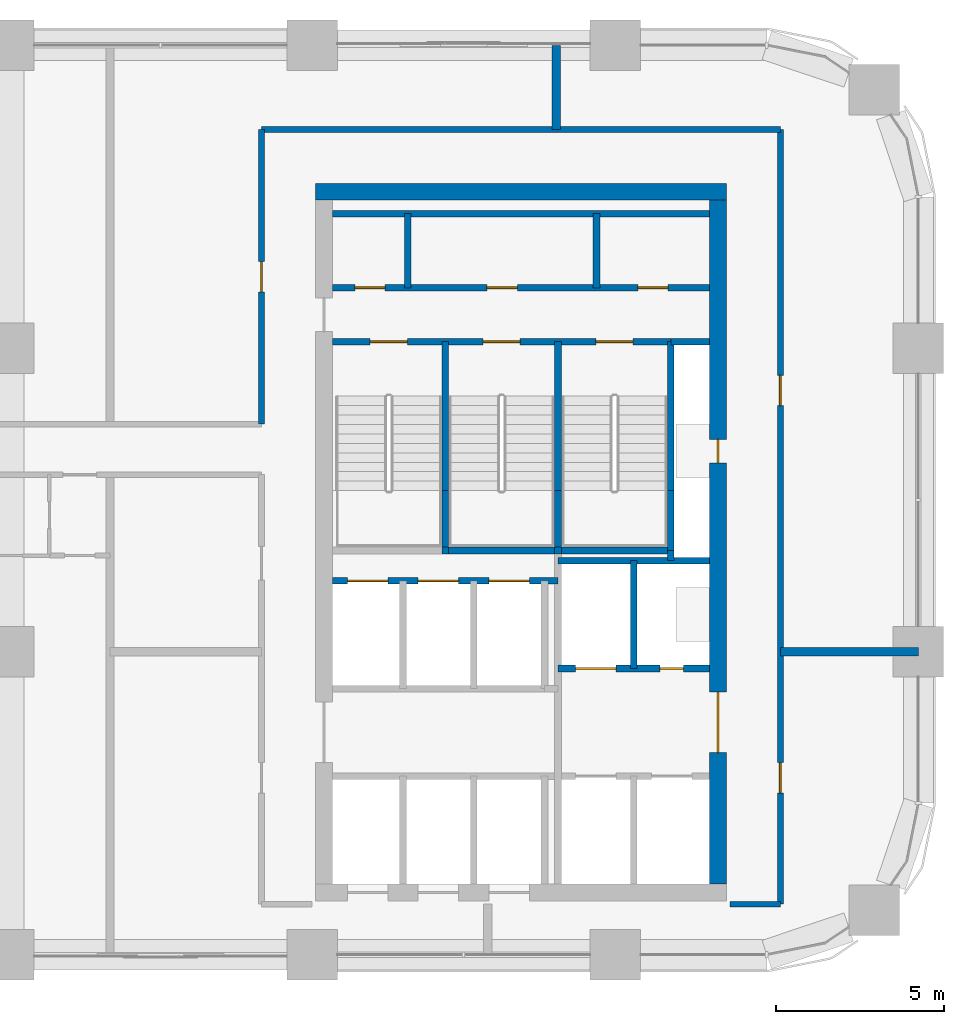
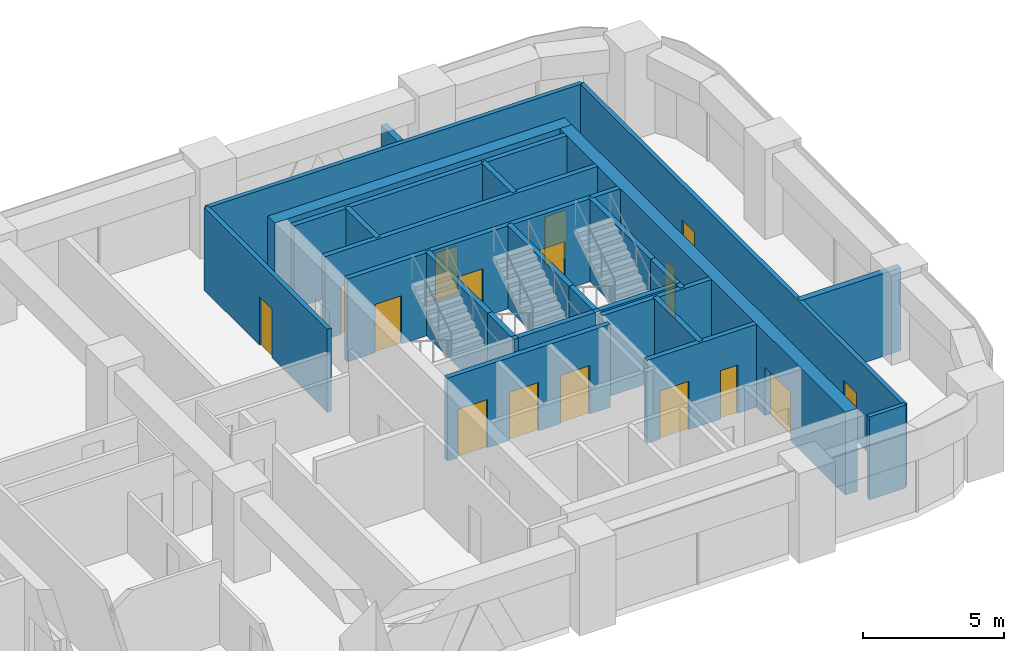
# One storey, part 10 of 18: 29 walls, 16 doors, 16 openings.
"""IFC4 building model written with IfcOpenShell, lengths in metres."""

from ifc_helpers import new_model, si_unit, direction, frame, frame_2d, origin, place, context, subcontext, project, spatial, rectangle, extrude, material, layer, layer_set, type_object, element, fill, save


model = new_model("IFC4")

# Units and contexts
model_context = context("Model", 3, precision=1e-05, world=origin(), true_north=direction((0.0, 1.0)))
body_context = subcontext(model_context, "Body", "Model", "MODEL_VIEW")
ifc_project = project(units=[si_unit("LENGTHUNIT", "METRE"), si_unit("AREAUNIT", "SQUARE_METRE"), si_unit("VOLUMEUNIT", "CUBIC_METRE"), si_unit("PLANEANGLEUNIT", "RADIAN"), si_unit("MASSUNIT", "GRAM", prefix="KILO")], contexts=[model_context])

# Site, building, storey
site_placement = place(None, origin())
site = spatial("IfcSite", under=ifc_project, at=site_placement, CompositionType="ELEMENT")
building_placement = place(site_placement, origin())
building = spatial("IfcBuilding", under=site, at=building_placement, Name="Tessera Arch", CompositionType="ELEMENT")
storey_placement = place(building_placement, frame((0.0, 0.0, 154.39990234375)))
storey = spatial("IfcBuildingStorey", under=building, at=storey_placement, Name="L36", CompositionType="ELEMENT", Elevation=154.39990234375)

# Walls
ifc_material_1 = material(Name="Gypsum board on steel stud", Category="steel")
ifc_layer_1 = layer(ifc_material_1, 0.125)
ifc_layer_set_1 = layer_set([ifc_layer_1], Name="Core partition 125 EI 60")
wall_type_1 = type_object("IfcWallType", Name="Core partition 125 EI 60", PredefinedType="PARTITIONING", material=ifc_layer_set_1)
for number, where, z_axis, x_axis, name in (
    (1, (38.840087890625, 46.800048828125, 0.0), (0.0, 0.0, 1.0), (0.0, 1.0, 0.0), "L36 C1 partition wall 3"),
    (2, (44.43994140625, 46.800048828125, 0.0), (0.0, 0.0, 1.0), (0.0, 1.0, 0.0), "L36 C1 partition wall 13"),
):
    element("IfcWall", number, at=place(storey_placement, frame(where, z_axis=z_axis, x_axis=x_axis)), inside=storey, type_object=wall_type_1, Name=name, PredefinedType="PARTITIONING", context=body_context, shape_type="SweptSolid", body=[
        extrude(rectangle(XDim=2.199951171875, YDim=0.199951171875, at=frame_2d((1.10009765625, 0.0))), origin(), (0.0, 0.0, 1.0), 3.60009765625),
    ])

# Wall, openings, doors
wall_1_placement = place(storey_placement, frame((36.60009765625, 46.800048828125, 0.0), z_axis=(0.0, 0.0, 1.0), x_axis=(1.0, 0.0, 0.0)))
wall_1 = element("IfcWall", 3, at=wall_1_placement, inside=storey, type_object=wall_type_1, Name="L36 C1 partition wall 32", PredefinedType="PARTITIONING", context=body_context, shape_type="SweptSolid", body=[
    extrude(rectangle(XDim=11.199951171875, YDim=0.199951171875, at=frame_2d((5.60009765625, 0.0))), origin(), (0.0, 0.0, 1.0), 3.60009765625),
])
opening_1_placement = place(wall_1_placement, frame((0.669921875, 0.0, 0.0)))
opening_1 = element("IfcOpeningElement", 4, at=opening_1_placement, cuts=wall_1, Name="Opening L36-C18", PredefinedType="OPENING", context=body_context, shape_type="SweptSolid", body=[
    extrude(rectangle(XDim=0.89990234375, YDim=2.10009765625, at=frame_2d((0.449951171875, 1.050048828125))), frame((0.0, 0.10986328125, 0.0), z_axis=(0.0, -1.0, 0.0), x_axis=(1.0, 0.0, 0.0)), (0.0, 0.0, 1.0), 0.219970703125),
])
opening_2_placement = place(wall_1_placement, frame((4.590087890625, 0.0, 0.0)))
opening_2 = element("IfcOpeningElement", 5, at=opening_2_placement, cuts=wall_1, Name="Opening L36-C19", PredefinedType="OPENING", context=body_context, shape_type="SweptSolid", body=[
    extrude(rectangle(XDim=0.89990234375, YDim=2.10009765625, at=frame_2d((0.449951171875, 1.050048828125))), frame((0.0, 0.10986328125, 0.0), z_axis=(0.0, -1.0, 0.0), x_axis=(1.0, 0.0, 0.0)), (0.0, 0.0, 1.0), 0.219970703125),
])
opening_3_placement = place(wall_1_placement, frame((9.070068359375, 0.0, 0.0)))
opening_3 = element("IfcOpeningElement", 6, at=opening_3_placement, cuts=wall_1, Name="Opening L36-C20", PredefinedType="OPENING", context=body_context, shape_type="SweptSolid", body=[
    extrude(rectangle(XDim=0.89990234375, YDim=2.10009765625, at=frame_2d((0.449951171875, 1.050048828125))), frame((0.0, 0.10986328125, 0.0), z_axis=(0.0, -1.0, 0.0), x_axis=(1.0, 0.0, 0.0)), (0.0, 0.0, 1.0), 0.219970703125),
])
ifc_material_2 = material(Name="Steel door leaf", Category="steel")
door_type_1 = type_object("IfcDoorType", Name="Store door FD30S 900 x 2100", OperationType="SINGLE_SWING_LEFT", PredefinedType="DOOR", material=ifc_material_2)
door_1_placement = place(opening_1_placement, origin())
door_1 = element("IfcDoor", 7, at=door_1_placement, inside=storey, type_object=door_type_1, Name="L36 C1 door 18 C18 type D09", OperationType="SINGLE_SWING_LEFT", OverallHeight=2.10009765625, OverallWidth=0.89990234375, PredefinedType="DOOR", context=body_context, shape_type="SweptSolid", body=[
    extrude(rectangle(XDim=0.89990234375, YDim=2.10009765625, at=frame_2d((0.449951171875, 1.050048828125))), frame((0.0, 0.02490234375, 0.0), z_axis=(0.0, -1.0, 0.0), x_axis=(1.0, 0.0, 0.0)), (0.0, 0.0, 1.0), 0.050048828125),
])
fill(opening_1, door_1)
door_2_placement = place(opening_2_placement, origin())
door_2 = element("IfcDoor", 8, at=door_2_placement, inside=storey, type_object=door_type_1, Name="L36 C1 door 19 C19 type D09", OperationType="SINGLE_SWING_LEFT", OverallHeight=2.10009765625, OverallWidth=0.89990234375, PredefinedType="DOOR", context=body_context, shape_type="SweptSolid", body=[
    extrude(rectangle(XDim=0.89990234375, YDim=2.10009765625, at=frame_2d((0.449951171875, 1.050048828125))), frame((0.0, 0.02490234375, 0.0), z_axis=(0.0, -1.0, 0.0), x_axis=(1.0, 0.0, 0.0)), (0.0, 0.0, 1.0), 0.050048828125),
])
fill(opening_2, door_2)
door_3_placement = place(opening_3_placement, origin())
door_3 = element("IfcDoor", 9, at=door_3_placement, inside=storey, type_object=door_type_1, Name="L36 C1 door 20 C20 type D09", OperationType="SINGLE_SWING_RIGHT", OverallHeight=2.10009765625, OverallWidth=0.89990234375, PredefinedType="DOOR", context=body_context, shape_type="SweptSolid", body=[
    extrude(rectangle(XDim=0.89990234375, YDim=2.10009765625, at=frame_2d((0.449951171875, 1.050048828125))), frame((0.0, 0.02490234375, 0.0), z_axis=(0.0, -1.0, 0.0), x_axis=(1.0, 0.0, 0.0)), (0.0, 0.0, 1.0), 0.050048828125),
])
fill(opening_3, door_3)

# Walls
wall_2_placement = place(storey_placement, frame((36.60009765625, 49.0, 0.0), z_axis=(0.0, 0.0, 1.0), x_axis=(1.0, 0.0, 0.0)))
element("IfcWall", 10, at=wall_2_placement, inside=storey, type_object=wall_type_1, Name="L36 C1 partition wall 33", PredefinedType="PARTITIONING", context=body_context, shape_type="SweptSolid", body=[
    extrude(rectangle(XDim=11.199951171875, YDim=0.199951171875, at=frame_2d((5.60009765625, 0.0))), origin(), (0.0, 0.0, 1.0), 3.60009765625),
])
ifc_material_3 = material(Name="Concrete C60/75", Category="concrete")
ifc_layer_2 = layer(ifc_material_3, 0.5)
ifc_layer_set_2 = layer_set([ifc_layer_2], Name="Core shell wall 500 C60-75")
wall_type_2 = type_object("IfcWallType", Name="Core shell wall 500 C60-75", PredefinedType="SHEAR", material=ifc_layer_set_2)
wall_3_placement = place(storey_placement, frame((36.10009765625, 49.64990234375, 0.0), z_axis=(0.0, 0.0, 1.0), x_axis=(1.0, 0.0, 0.0)))
element("IfcWall", 11, at=wall_3_placement, inside=storey, type_object=wall_type_2, Name="L36 C1 core wall N", PredefinedType="SHEAR", context=body_context, shape_type="SweptSolid", body=[
    extrude(rectangle(XDim=12.199951171875, YDim=0.5, at=frame_2d((6.10009765625, 0.0))), origin(), (0.0, 0.0, 1.0), 3.60009765625),
])

# Wall, openings, doors
wall_4_placement = place(storey_placement, frame((48.050048828125, 29.10009765625, 0.0), z_axis=(0.0, 0.0, 1.0), x_axis=(0.0, 1.0, 0.0)))
wall_4 = element("IfcWall", 12, at=wall_4_placement, inside=storey, type_object=wall_type_2, Name="L36 C1 core wall E", PredefinedType="SHEAR", context=body_context, shape_type="SweptSolid", body=[
    extrude(rectangle(XDim=20.2998046875, YDim=0.5, at=frame_2d((10.14990234375, 0.0))), origin(), (0.0, 0.0, 1.0), 3.60009765625),
])
opening_4_placement = place(wall_4_placement, frame((12.5, 0.0, 0.0)))
opening_4 = element("IfcOpeningElement", 13, at=opening_4_placement, cuts=wall_4, Name="Opening L36-C14", PredefinedType="OPENING", context=body_context, shape_type="SweptSolid", body=[
    extrude(rectangle(XDim=0.699951171875, YDim=2.10009765625, at=frame_2d((0.35009765625, 1.050048828125))), frame((0.0, 0.260009765625, 0.0), z_axis=(0.0, -1.0, 0.0), x_axis=(1.0, 0.0, 0.0)), (0.0, 0.0, 1.0), 0.52001953125),
])
opening_5_placement = place(wall_4_placement, frame((3.89990234375, 0.0, 0.0)))
opening_5 = element("IfcOpeningElement", 14, at=opening_5_placement, cuts=wall_4, Name="Opening L36-C15", PredefinedType="OPENING", context=body_context, shape_type="SweptSolid", body=[
    extrude(rectangle(XDim=1.800048828125, YDim=2.10009765625, at=frame_2d((0.89990234375, 1.050048828125))), frame((0.0, 0.260009765625, 0.0), z_axis=(0.0, -1.0, 0.0), x_axis=(1.0, 0.0, 0.0)), (0.0, 0.0, 1.0), 0.52001953125),
])
ifc_material_4 = material(Name="Glazed steel door leaf", Category="steel")
door_type_2 = type_object("IfcDoorType", Name="Lobby double door FD60 1800 x 2100", OperationType="DOUBLE_DOOR_SINGLE_SWING", PredefinedType="DOOR", material=ifc_material_4)
door_4_placement = place(opening_5_placement, origin())
door_4 = element("IfcDoor", 15, at=door_4_placement, inside=storey, type_object=door_type_2, Name="L36 C1 door 15 C15 type D19", OperationType="DOUBLE_DOOR_SINGLE_SWING", OverallHeight=2.10009765625, OverallWidth=1.800048828125, PredefinedType="DOOR", context=body_context, shape_type="SweptSolid", body=[
    extrude(rectangle(XDim=1.800048828125, YDim=2.10009765625, at=frame_2d((0.89990234375, 1.050048828125))), frame((0.0, 0.02490234375, 0.0), z_axis=(0.0, -1.0, 0.0), x_axis=(1.0, 0.0, 0.0)), (0.0, 0.0, 1.0), 0.050048828125),
])
fill(opening_5, door_4)
ifc_material_5 = material(Name="Steel door leaf", Category="steel")
door_type_3 = type_object("IfcDoorType", Name="Service shaft door FD60 700 x 2100", OperationType="SINGLE_SWING_LEFT", PredefinedType="DOOR", material=ifc_material_5)
door_5_placement = place(opening_4_placement, origin())
door_5 = element("IfcDoor", 16, at=door_5_placement, inside=storey, type_object=door_type_3, Name="L36 C1 door 14 C14 type D07", OperationType="SINGLE_SWING_RIGHT", OverallHeight=2.10009765625, OverallWidth=0.699951171875, PredefinedType="DOOR", context=body_context, shape_type="SweptSolid", body=[
    extrude(rectangle(XDim=0.699951171875, YDim=2.10009765625, at=frame_2d((0.35009765625, 1.050048828125))), frame((0.0, 0.02490234375, 0.0), z_axis=(0.0, -1.0, 0.0), x_axis=(1.0, 0.0, 0.0)), (0.0, 0.0, 1.0), 0.050048828125),
])
fill(opening_4, door_5)

# Walls
ifc_material_6 = material(Name="Gypsum board on deep steel stud with mineral wool", Category="steel")
ifc_layer_3 = layer(ifc_material_6, 0.175048828125)
ifc_layer_set_3 = layer_set([ifc_layer_3], Name="Corridor wall 175 EI 60")
wall_type_3 = type_object("IfcWallType", Name="Corridor wall 175 EI 60", PredefinedType="PARTITIONING", material=ifc_layer_set_3)
wall_5_placement = place(storey_placement, frame((48.39990234375, 28.5, 0.0), z_axis=(0.0, 0.0, 1.0), x_axis=(1.0, 0.0, 0.0)))
element("IfcWall", 17, at=wall_5_placement, inside=storey, type_object=wall_type_3, Name="L36 partition 4", PredefinedType="PARTITIONING", context=body_context, shape_type="SweptSolid", body=[
    extrude(rectangle(XDim=1.5, YDim=0.175048828125, at=frame_2d((0.75, 0.0))), origin(), (0.0, 0.0, 1.0), 3.60009765625),
])
wall_6_placement = place(storey_placement, frame((34.5, 51.5, 0.0), z_axis=(0.0, 0.0, 1.0), x_axis=(1.0, 0.0, 0.0)))
element("IfcWall", 18, at=wall_6_placement, inside=storey, type_object=wall_type_3, Name="L36 partition 8", PredefinedType="PARTITIONING", context=body_context, shape_type="SweptSolid", body=[
    extrude(rectangle(XDim=15.39990234375, YDim=0.175048828125, at=frame_2d((7.699951171875, 0.0))), origin(), (0.0, 0.0, 1.0), 3.60009765625),
])

# Wall, opening, door
wall_7_placement = place(storey_placement, frame((34.5, 42.75, 0.0), z_axis=(0.0, 0.0, 1.0), x_axis=(0.0, 1.0, 0.0)))
wall_7 = element("IfcWall", 19, at=wall_7_placement, inside=storey, type_object=wall_type_3, Name="L36 partition 13", PredefinedType="PARTITIONING", context=body_context, shape_type="SweptSolid", body=[
    extrude(rectangle(XDim=8.75, YDim=0.175048828125, at=frame_2d((4.375, 0.0))), origin(), (0.0, 0.0, 1.0), 3.60009765625),
])
opening_6_placement = place(wall_7_placement, frame((3.925048828125, 0.0, 0.0)))
opening_6 = element("IfcOpeningElement", 20, at=opening_6_placement, cuts=wall_7, Name="Opening L36-D014", PredefinedType="OPENING", context=body_context, shape_type="SweptSolid", body=[
    extrude(rectangle(XDim=0.89990234375, YDim=2.10009765625, at=frame_2d((0.449951171875, 1.050048828125))), frame((0.0, 0.097412109375, 0.0), z_axis=(0.0, -1.0, 0.0), x_axis=(1.0, 0.0, 0.0)), (0.0, 0.0, 1.0), 0.195068359375),
])
ifc_material_7 = material(Name="Timber door leaf", Category="wood")
door_type_4 = type_object("IfcDoorType", Name="Room door 900 x 2100", OperationType="SINGLE_SWING_LEFT", PredefinedType="DOOR", material=ifc_material_7)
door_6_placement = place(opening_6_placement, origin())
door_6 = element("IfcDoor", 21, at=door_6_placement, inside=storey, type_object=door_type_4, Name="L36 door D014 type D01", OperationType="SINGLE_SWING_RIGHT", OverallHeight=2.10009765625, OverallWidth=0.89990234375, PredefinedType="DOOR", context=body_context, shape_type="SweptSolid", body=[
    extrude(rectangle(XDim=0.89990234375, YDim=2.10009765625, at=frame_2d((0.449951171875, 1.050048828125))), frame((0.0, 0.02490234375, 0.0), z_axis=(0.0, -1.0, 0.0), x_axis=(1.0, 0.0, 0.0)), (0.0, 0.0, 1.0), 0.050048828125),
])
fill(opening_6, door_6)

# Wall, openings, doors
wall_8_placement = place(storey_placement, frame((49.89990234375, 28.5, 0.0), z_axis=(0.0, 0.0, 1.0), x_axis=(0.0, 1.0, 0.0)))
wall_8 = element("IfcWall", 22, at=wall_8_placement, inside=storey, type_object=wall_type_3, Name="L36 partition 14", PredefinedType="PARTITIONING", context=body_context, shape_type="SweptSolid", body=[
    extrude(rectangle(XDim=23.0, YDim=0.175048828125, at=frame_2d((11.5, 0.0))), origin(), (0.0, 0.0, 1.0), 3.60009765625),
])
opening_7_placement = place(wall_8_placement, frame((3.300048828125, 0.0, 0.0)))
opening_7 = element("IfcOpeningElement", 23, at=opening_7_placement, cuts=wall_8, Name="Opening L36-D002", PredefinedType="OPENING", context=body_context, shape_type="SweptSolid", body=[
    extrude(rectangle(XDim=0.89990234375, YDim=2.10009765625, at=frame_2d((0.449951171875, 1.050048828125))), frame((0.0, 0.097412109375, 0.0), z_axis=(0.0, -1.0, 0.0), x_axis=(1.0, 0.0, 0.0)), (0.0, 0.0, 1.0), 0.195068359375),
])
opening_8_placement = place(wall_8_placement, frame((14.800048828125, 0.0, 0.0)))
opening_8 = element("IfcOpeningElement", 24, at=opening_8_placement, cuts=wall_8, Name="Opening L36-D012", PredefinedType="OPENING", context=body_context, shape_type="SweptSolid", body=[
    extrude(rectangle(XDim=0.89990234375, YDim=2.10009765625, at=frame_2d((0.449951171875, 1.050048828125))), frame((0.0, 0.097412109375, 0.0), z_axis=(0.0, -1.0, 0.0), x_axis=(1.0, 0.0, 0.0)), (0.0, 0.0, 1.0), 0.195068359375),
])
door_7_placement = place(opening_7_placement, origin())
door_7 = element("IfcDoor", 25, at=door_7_placement, inside=storey, type_object=door_type_4, Name="L36 door D002 type D01", OperationType="SINGLE_SWING_LEFT", OverallHeight=2.10009765625, OverallWidth=0.89990234375, PredefinedType="DOOR", context=body_context, shape_type="SweptSolid", body=[
    extrude(rectangle(XDim=0.89990234375, YDim=2.10009765625, at=frame_2d((0.449951171875, 1.050048828125))), frame((0.0, 0.02490234375, 0.0), z_axis=(0.0, -1.0, 0.0), x_axis=(1.0, 0.0, 0.0)), (0.0, 0.0, 1.0), 0.050048828125),
])
fill(opening_7, door_7)
door_8_placement = place(opening_8_placement, origin())
door_8 = element("IfcDoor", 26, at=door_8_placement, inside=storey, type_object=door_type_4, Name="L36 door D012 type D01", OperationType="SINGLE_SWING_LEFT", OverallHeight=2.10009765625, OverallWidth=0.89990234375, PredefinedType="DOOR", context=body_context, shape_type="SweptSolid", body=[
    extrude(rectangle(XDim=0.89990234375, YDim=2.10009765625, at=frame_2d((0.449951171875, 1.050048828125))), frame((0.0, 0.02490234375, 0.0), z_axis=(0.0, -1.0, 0.0), x_axis=(1.0, 0.0, 0.0)), (0.0, 0.0, 1.0), 0.050048828125),
])
fill(opening_8, door_8)

# Walls
ifc_material_8 = material(Name="Double gypsum board on twin steel stud with acoustic mineral wool", Category="steel")
ifc_layer_4 = layer(ifc_material_8, 0.25)
ifc_layer_set_4 = layer_set([ifc_layer_4], Name="Party wall 250 EI 60")
wall_type_4 = type_object("IfcWallType", Name="Party wall 250 EI 60", PredefinedType="PARTITIONING", material=ifc_layer_set_4)
wall_9_placement = place(storey_placement, frame((49.89990234375, 36.0, 0.0), z_axis=(0.0, 0.0, 1.0), x_axis=(1.0, 0.0, 0.0)))
element("IfcWall", 27, at=wall_9_placement, inside=storey, type_object=wall_type_4, Name="L36 partition 20", PredefinedType="PARTITIONING", context=body_context, shape_type="SweptSolid", body=[
    extrude(rectangle(XDim=4.10009765625, YDim=0.25, at=frame_2d((2.050048828125, 0.0))), origin(), (0.0, 0.0, 1.0), 3.60009765625),
])
wall_10_placement = place(storey_placement, frame((43.241943359375, 51.5, 0.0), z_axis=(0.0, 0.0, 1.0), x_axis=(0.0, 1.0, 0.0)))
element("IfcWall", 28, at=wall_10_placement, inside=storey, type_object=wall_type_4, Name="L36 partition 26", PredefinedType="PARTITIONING", context=body_context, shape_type="SweptSolid", body=[
    extrude(rectangle(XDim=2.5, YDim=0.25, at=frame_2d((1.25, 0.0))), origin(), (0.0, 0.0, 1.0), 2.60009765625),
])
ifc_material_9 = material(Name="Concrete C40/50", Category="concrete")
ifc_layer_5 = layer(ifc_material_9, 0.199951171875)
ifc_layer_set_5 = layer_set([ifc_layer_5], Name="Shaft wall 200 EI 120")
wall_type_5 = type_object("IfcWallType", Name="Shaft wall 200 EI 120", PredefinedType="SOLIDWALL", material=ifc_layer_set_5)
wall_11_placement = place(storey_placement, frame((45.550048828125, 35.5, 0.0), z_axis=(0.0, 0.0, 1.0), x_axis=(0.0, 1.0, 0.0)))
element("IfcWall", 29, at=wall_11_placement, inside=storey, type_object=wall_type_5, Name="L36 C1 shaft wall 15", PredefinedType="SOLIDWALL", context=body_context, shape_type="SweptSolid", body=[
    extrude(rectangle(XDim=3.199951171875, YDim=0.199951171875, at=frame_2d((1.60009765625, 0.0))), origin(), (0.0, 0.0, 1.0), 3.60009765625),
])
wall_12_placement = place(storey_placement, frame((46.64990234375, 38.699951171875, 0.0), z_axis=(0.0, 0.0, 1.0), x_axis=(0.0, 1.0, 0.0)))
element("IfcWall", 30, at=wall_12_placement, inside=storey, type_object=wall_type_5, Name="L36 C1 shaft wall 16", PredefinedType="SOLIDWALL", context=body_context, shape_type="SweptSolid", body=[
    extrude(rectangle(XDim=0.300048828125, YDim=0.199951171875, at=frame_2d((0.14990234375, 0.0))), origin(), (0.0, 0.0, 1.0), 3.60009765625),
])

# Wall, openings, doors
wall_13_placement = place(storey_placement, frame((43.300048828125, 35.5, 0.0), z_axis=(0.0, 0.0, 1.0), x_axis=(1.0, 0.0, 0.0)))
wall_13 = element("IfcWall", 31, at=wall_13_placement, inside=storey, type_object=wall_type_5, Name="L36 C1 shaft wall 22", PredefinedType="SOLIDWALL", context=body_context, shape_type="SweptSolid", body=[
    extrude(rectangle(XDim=4.5, YDim=0.199951171875, at=frame_2d((2.25, 0.0))), origin(), (0.0, 0.0, 1.0), 3.60009765625),
])
opening_9_placement = place(wall_13_placement, frame((0.52490234375, 0.0, 0.0)))
opening_9 = element("IfcOpeningElement", 32, at=opening_9_placement, cuts=wall_13, Name="Opening L36-C09", PredefinedType="OPENING", context=body_context, shape_type="SweptSolid", body=[
    extrude(rectangle(XDim=1.199951171875, YDim=2.10009765625, at=frame_2d((0.60009765625, 1.050048828125))), frame((0.0, 0.10986328125, 0.0), z_axis=(0.0, -1.0, 0.0), x_axis=(1.0, 0.0, 0.0)), (0.0, 0.0, 1.0), 0.219970703125),
])
opening_10_placement = place(wall_13_placement, frame((3.02490234375, 0.0, 0.0)))
opening_10 = element("IfcOpeningElement", 33, at=opening_10_placement, cuts=wall_13, Name="Opening L36-C16", PredefinedType="OPENING", context=body_context, shape_type="SweptSolid", body=[
    extrude(rectangle(XDim=0.699951171875, YDim=2.10009765625, at=frame_2d((0.35009765625, 1.050048828125))), frame((0.0, 0.10986328125, 0.0), z_axis=(0.0, -1.0, 0.0), x_axis=(1.0, 0.0, 0.0)), (0.0, 0.0, 1.0), 0.219970703125),
])
door_9_placement = place(opening_10_placement, origin())
door_9 = element("IfcDoor", 34, at=door_9_placement, inside=storey, type_object=door_type_3, Name="L36 C1 door 16 C16 type D07", OperationType="SINGLE_SWING_RIGHT", OverallHeight=2.10009765625, OverallWidth=0.699951171875, PredefinedType="DOOR", context=body_context, shape_type="SweptSolid", body=[
    extrude(rectangle(XDim=0.699951171875, YDim=2.10009765625, at=frame_2d((0.35009765625, 1.050048828125))), frame((0.0, 0.02490234375, 0.0), z_axis=(0.0, -1.0, 0.0), x_axis=(1.0, 0.0, 0.0)), (0.0, 0.0, 1.0), 0.050048828125),
])
fill(opening_10, door_9)
ifc_material_10 = material(Name="Stainless steel AISI 304", Category="steel")
door_type_5 = type_object("IfcDoorType", Name="Sliding landing door 1200 x 2100", OperationType="SLIDING_TO_LEFT", PredefinedType="DOOR", material=ifc_material_10)
door_10_placement = place(opening_9_placement, origin())
door_10 = element("IfcDoor", 35, at=door_10_placement, inside=storey, type_object=door_type_5, Name="L36 SV2 lift landing door C09 type LD", OperationType="SLIDING_TO_LEFT", OverallHeight=2.10009765625, OverallWidth=1.199951171875, PredefinedType="DOOR", context=body_context, shape_type="SweptSolid", body=[
    extrude(rectangle(XDim=1.199951171875, YDim=2.10009765625, at=frame_2d((0.60009765625, 1.050048828125))), frame((0.0, 0.02490234375, 0.0), z_axis=(0.0, -1.0, 0.0), x_axis=(1.0, 0.0, 0.0)), (0.0, 0.0, 1.0), 0.050048828125),
])
fill(opening_9, door_10)

wall_14_placement = place(storey_placement, frame((36.60009765625, 38.10009765625, 0.0), z_axis=(0.0, 0.0, 1.0), x_axis=(1.0, 0.0, 0.0)))
wall_14 = element("IfcWall", 36, at=wall_14_placement, inside=storey, type_object=wall_type_5, Name="L36 C1 shaft wall 23", PredefinedType="SOLIDWALL", context=body_context, shape_type="SweptSolid", body=[
    extrude(rectangle(XDim=6.699951171875, YDim=0.199951171875, at=frame_2d((3.35009765625, 0.0))), origin(), (0.0, 0.0, 1.0), 3.60009765625),
])
opening_11_placement = place(wall_14_placement, frame((0.449951171875, 0.0, 0.0)))
opening_11 = element("IfcOpeningElement", 37, at=opening_11_placement, cuts=wall_14, Name="Opening L36-C02", PredefinedType="OPENING", context=body_context, shape_type="SweptSolid", body=[
    extrude(rectangle(XDim=1.199951171875, YDim=2.10009765625, at=frame_2d((0.60009765625, 1.050048828125))), frame((0.0, 0.10986328125, 0.0), z_axis=(0.0, -1.0, 0.0), x_axis=(1.0, 0.0, 0.0)), (0.0, 0.0, 1.0), 0.219970703125),
])
opening_12_placement = place(wall_14_placement, frame((2.550048828125, 0.0, 0.0)))
opening_12 = element("IfcOpeningElement", 38, at=opening_12_placement, cuts=wall_14, Name="Opening L36-C04", PredefinedType="OPENING", context=body_context, shape_type="SweptSolid", body=[
    extrude(rectangle(XDim=1.199951171875, YDim=2.10009765625, at=frame_2d((0.60009765625, 1.050048828125))), frame((0.0, 0.10986328125, 0.0), z_axis=(0.0, -1.0, 0.0), x_axis=(1.0, 0.0, 0.0)), (0.0, 0.0, 1.0), 0.219970703125),
])
opening_13_placement = place(wall_14_placement, frame((4.64990234375, 0.0, 0.0)))
opening_13 = element("IfcOpeningElement", 39, at=opening_13_placement, cuts=wall_14, Name="Opening L36-C06", PredefinedType="OPENING", context=body_context, shape_type="SweptSolid", body=[
    extrude(rectangle(XDim=1.199951171875, YDim=2.10009765625, at=frame_2d((0.60009765625, 1.050048828125))), frame((0.0, 0.10986328125, 0.0), z_axis=(0.0, -1.0, 0.0), x_axis=(1.0, 0.0, 0.0)), (0.0, 0.0, 1.0), 0.219970703125),
])
door_11_placement = place(opening_11_placement, origin())
door_11 = element("IfcDoor", 40, at=door_11_placement, inside=storey, type_object=door_type_5, Name="L36 HR4 lift landing door C02 type LD", OperationType="SLIDING_TO_LEFT", OverallHeight=2.10009765625, OverallWidth=1.199951171875, PredefinedType="DOOR", context=body_context, shape_type="SweptSolid", body=[
    extrude(rectangle(XDim=1.199951171875, YDim=2.10009765625, at=frame_2d((0.60009765625, 1.050048828125))), frame((0.0, 0.02490234375, 0.0), z_axis=(0.0, -1.0, 0.0), x_axis=(1.0, 0.0, 0.0)), (0.0, 0.0, 1.0), 0.050048828125),
])
fill(opening_11, door_11)
door_12_placement = place(opening_12_placement, origin())
door_12 = element("IfcDoor", 41, at=door_12_placement, inside=storey, type_object=door_type_5, Name="L36 HR5 lift landing door C04 type LD", OperationType="SLIDING_TO_LEFT", OverallHeight=2.10009765625, OverallWidth=1.199951171875, PredefinedType="DOOR", context=body_context, shape_type="SweptSolid", body=[
    extrude(rectangle(XDim=1.199951171875, YDim=2.10009765625, at=frame_2d((0.60009765625, 1.050048828125))), frame((0.0, 0.02490234375, 0.0), z_axis=(0.0, -1.0, 0.0), x_axis=(1.0, 0.0, 0.0)), (0.0, 0.0, 1.0), 0.050048828125),
])
fill(opening_12, door_12)
door_13_placement = place(opening_13_placement, origin())
door_13 = element("IfcDoor", 42, at=door_13_placement, inside=storey, type_object=door_type_5, Name="L36 HR6 lift landing door C06 type LD", OperationType="SLIDING_TO_LEFT", OverallHeight=2.10009765625, OverallWidth=1.199951171875, PredefinedType="DOOR", context=body_context, shape_type="SweptSolid", body=[
    extrude(rectangle(XDim=1.199951171875, YDim=2.10009765625, at=frame_2d((0.60009765625, 1.050048828125))), frame((0.0, 0.02490234375, 0.0), z_axis=(0.0, -1.0, 0.0), x_axis=(1.0, 0.0, 0.0)), (0.0, 0.0, 1.0), 0.050048828125),
])
fill(opening_13, door_13)

# Walls
wall_15_placement = place(storey_placement, frame((43.300048828125, 38.699951171875, 0.0), z_axis=(0.0, 0.0, 1.0), x_axis=(1.0, 0.0, 0.0)))
element("IfcWall", 43, at=wall_15_placement, inside=storey, type_object=wall_type_5, Name="L36 C1 shaft wall 24", PredefinedType="SOLIDWALL", context=body_context, shape_type="SweptSolid", body=[
    extrude(rectangle(XDim=4.5, YDim=0.199951171875, at=frame_2d((2.25, 0.0))), origin(), (0.0, 0.0, 1.0), 3.60009765625),
])
wall_16_placement = place(storey_placement, frame((46.64990234375, 45.199951171875, 0.0), z_axis=(0.0, 0.0, 1.0), x_axis=(1.0, 0.0, 0.0)))
element("IfcWall", 44, at=wall_16_placement, inside=storey, type_object=wall_type_5, Name="L36 C1 shaft wall 30", PredefinedType="SOLIDWALL", context=body_context, shape_type="SweptSolid", body=[
    extrude(rectangle(XDim=1.150146484375, YDim=0.199951171875, at=frame_2d((0.5751953125, 0.0))), origin(), (0.0, 0.0, 1.0), 3.60009765625),
])
ifc_material_11 = material(Name="Concrete C40/50", Category="concrete")
ifc_layer_6 = layer(ifc_material_11, 0.199951171875)
ifc_layer_set_6 = layer_set([ifc_layer_6], Name="Stair well wall 200 REI 180")
wall_type_6 = type_object("IfcWallType", Name="Stair well wall 200 REI 180", PredefinedType="SOLIDWALL", material=ifc_layer_set_6)
wall_17_placement = place(storey_placement, frame((39.949951171875, 39.0, 0.0), z_axis=(0.0, 0.0, 1.0), x_axis=(0.0, 1.0, 0.0)))
element("IfcWall", 45, at=wall_17_placement, inside=storey, type_object=wall_type_6, Name="L36 C1 shaft wall 4", PredefinedType="SOLIDWALL", context=body_context, shape_type="SweptSolid", body=[
    extrude(rectangle(XDim=1.780029296875, YDim=0.199951171875, at=frame_2d((0.89013671875, 0.0))), origin(), (0.0, 0.0, 1.0), 3.60009765625),
])
wall_18_placement = place(storey_placement, frame((39.949951171875, 40.780029296875, 0.0), z_axis=(0.0, 0.0, 1.0), x_axis=(0.0, 1.0, 0.0)))
element("IfcWall", 46, at=wall_18_placement, inside=storey, type_object=wall_type_6, Name="L36 C1 shaft wall 5", PredefinedType="SOLIDWALL", context=body_context, shape_type="SweptSolid", body=[
    extrude(rectangle(XDim=4.419921875, YDim=0.199951171875, at=frame_2d((2.2099609375, 0.0))), origin(), (0.0, 0.0, 1.0), 3.60009765625),
])
wall_19_placement = place(storey_placement, frame((43.300048828125, 39.0, 0.0), z_axis=(0.0, 0.0, 1.0), x_axis=(0.0, 1.0, 0.0)))
element("IfcWall", 47, at=wall_19_placement, inside=storey, type_object=wall_type_6, Name="L36 C1 shaft wall 11", PredefinedType="SOLIDWALL", context=body_context, shape_type="SweptSolid", body=[
    extrude(rectangle(XDim=1.780029296875, YDim=0.199951171875, at=frame_2d((0.89013671875, 0.0))), origin(), (0.0, 0.0, 1.0), 3.60009765625),
])
wall_20_placement = place(storey_placement, frame((43.300048828125, 40.780029296875, 0.0), z_axis=(0.0, 0.0, 1.0), x_axis=(0.0, 1.0, 0.0)))
element("IfcWall", 48, at=wall_20_placement, inside=storey, type_object=wall_type_6, Name="L36 C1 shaft wall 12", PredefinedType="SOLIDWALL", context=body_context, shape_type="SweptSolid", body=[
    extrude(rectangle(XDim=4.419921875, YDim=0.199951171875, at=frame_2d((2.2099609375, 0.0))), origin(), (0.0, 0.0, 1.0), 3.60009765625),
])
wall_21_placement = place(storey_placement, frame((46.64990234375, 39.0, 0.0), z_axis=(0.0, 0.0, 1.0), x_axis=(0.0, 1.0, 0.0)))
element("IfcWall", 49, at=wall_21_placement, inside=storey, type_object=wall_type_6, Name="L36 C1 shaft wall 17", PredefinedType="SOLIDWALL", context=body_context, shape_type="SweptSolid", body=[
    extrude(rectangle(XDim=1.780029296875, YDim=0.199951171875, at=frame_2d((0.89013671875, 0.0))), origin(), (0.0, 0.0, 1.0), 3.60009765625),
])
wall_22_placement = place(storey_placement, frame((46.64990234375, 40.780029296875, 0.0), z_axis=(0.0, 0.0, 1.0), x_axis=(0.0, 1.0, 0.0)))
element("IfcWall", 50, at=wall_22_placement, inside=storey, type_object=wall_type_6, Name="L36 C1 shaft wall 18", PredefinedType="SOLIDWALL", context=body_context, shape_type="SweptSolid", body=[
    extrude(rectangle(XDim=4.419921875, YDim=0.199951171875, at=frame_2d((2.2099609375, 0.0))), origin(), (0.0, 0.0, 1.0), 3.60009765625),
])
wall_23_placement = place(storey_placement, frame((39.85009765625, 39.0, 0.0), z_axis=(0.0, 0.0, 1.0), x_axis=(1.0, 0.0, 0.0)))
element("IfcWall", 51, at=wall_23_placement, inside=storey, type_object=wall_type_6, Name="L36 C1 shaft wall 26", PredefinedType="SOLIDWALL", context=body_context, shape_type="SweptSolid", body=[
    extrude(rectangle(XDim=0.199951171875, YDim=0.199951171875, at=frame_2d((0.10009765625, 0.0))), origin(), (0.0, 0.0, 1.0), 3.60009765625),
])
wall_24_placement = place(storey_placement, frame((40.050048828125, 39.0, 0.0), z_axis=(0.0, 0.0, 1.0), x_axis=(1.0, 0.0, 0.0)))
element("IfcWall", 52, at=wall_24_placement, inside=storey, type_object=wall_type_6, Name="L36 C1 shaft wall 27", PredefinedType="SOLIDWALL", context=body_context, shape_type="SweptSolid", body=[
    extrude(rectangle(XDim=3.14990234375, YDim=0.199951171875, at=frame_2d((1.574951171875, 0.0))), origin(), (0.0, 0.0, 1.0), 3.60009765625),
])
wall_25_placement = place(storey_placement, frame((43.199951171875, 39.0, 0.0), z_axis=(0.0, 0.0, 1.0), x_axis=(1.0, 0.0, 0.0)))
element("IfcWall", 53, at=wall_25_placement, inside=storey, type_object=wall_type_6, Name="L36 C1 shaft wall 28", PredefinedType="SOLIDWALL", context=body_context, shape_type="SweptSolid", body=[
    extrude(rectangle(XDim=0.199951171875, YDim=0.199951171875, at=frame_2d((0.10009765625, 0.0))), origin(), (0.0, 0.0, 1.0), 3.60009765625),
])
wall_26_placement = place(storey_placement, frame((43.39990234375, 39.0, 0.0), z_axis=(0.0, 0.0, 1.0), x_axis=(1.0, 0.0, 0.0)))
element("IfcWall", 54, at=wall_26_placement, inside=storey, type_object=wall_type_6, Name="L36 C1 shaft wall 29", PredefinedType="SOLIDWALL", context=body_context, shape_type="SweptSolid", body=[
    extrude(rectangle(XDim=3.25, YDim=0.199951171875, at=frame_2d((1.625, 0.0))), origin(), (0.0, 0.0, 1.0), 3.60009765625),
])

# Wall, openings, doors
wall_27_placement = place(storey_placement, frame((36.60009765625, 45.199951171875, 0.0), z_axis=(0.0, 0.0, 1.0), x_axis=(1.0, 0.0, 0.0)))
wall_27 = element("IfcWall", 55, at=wall_27_placement, inside=storey, type_object=wall_type_6, Name="L36 C1 shaft wall 31", PredefinedType="SOLIDWALL", context=body_context, shape_type="SweptSolid", body=[
    extrude(rectangle(XDim=10.0498046875, YDim=0.199951171875, at=frame_2d((5.02490234375, 0.0))), origin(), (0.0, 0.0, 1.0), 3.60009765625),
])
opening_14_placement = place(wall_27_placement, frame((1.125, 0.0, 0.0)))
opening_14 = element("IfcOpeningElement", 56, at=opening_14_placement, cuts=wall_27, Name="Opening L36-C11", PredefinedType="OPENING", context=body_context, shape_type="SweptSolid", body=[
    extrude(rectangle(XDim=1.10009765625, YDim=2.10009765625, at=frame_2d((0.550048828125, 1.050048828125))), frame((0.0, 0.10986328125, 0.0), z_axis=(0.0, -1.0, 0.0), x_axis=(1.0, 0.0, 0.0)), (0.0, 0.0, 1.0), 0.219970703125),
])
opening_15_placement = place(wall_27_placement, frame((4.47509765625, 0.0, 0.0)))
opening_15 = element("IfcOpeningElement", 57, at=opening_15_placement, cuts=wall_27, Name="Opening L36-C12", PredefinedType="OPENING", context=body_context, shape_type="SweptSolid", body=[
    extrude(rectangle(XDim=1.10009765625, YDim=2.10009765625, at=frame_2d((0.550048828125, 1.050048828125))), frame((0.0, 0.10986328125, 0.0), z_axis=(0.0, -1.0, 0.0), x_axis=(1.0, 0.0, 0.0)), (0.0, 0.0, 1.0), 0.219970703125),
])
opening_16_placement = place(wall_27_placement, frame((7.824951171875, 0.0, 0.0)))
opening_16 = element("IfcOpeningElement", 58, at=opening_16_placement, cuts=wall_27, Name="Opening L36-C13", PredefinedType="OPENING", context=body_context, shape_type="SweptSolid", body=[
    extrude(rectangle(XDim=1.10009765625, YDim=2.10009765625, at=frame_2d((0.550048828125, 1.050048828125))), frame((0.0, 0.10986328125, 0.0), z_axis=(0.0, -1.0, 0.0), x_axis=(1.0, 0.0, 0.0)), (0.0, 0.0, 1.0), 0.219970703125),
])
ifc_material_12 = material(Name="Steel door leaf", Category="steel")
door_type_6 = type_object("IfcDoorType", Name="Stair door FD60 1100 x 2100", OperationType="SINGLE_SWING_LEFT", PredefinedType="DOOR", material=ifc_material_12)
door_14_placement = place(opening_14_placement, origin())
door_14 = element("IfcDoor", 59, at=door_14_placement, inside=storey, type_object=door_type_6, Name="L36 C1 door 11 C11 type D05", OperationType="SINGLE_SWING_LEFT", OverallHeight=2.10009765625, OverallWidth=1.10009765625, PredefinedType="DOOR", context=body_context, shape_type="SweptSolid", body=[
    extrude(rectangle(XDim=1.10009765625, YDim=2.10009765625, at=frame_2d((0.550048828125, 1.050048828125))), frame((0.0, 0.02490234375, 0.0), z_axis=(0.0, -1.0, 0.0), x_axis=(1.0, 0.0, 0.0)), (0.0, 0.0, 1.0), 0.050048828125),
])
fill(opening_14, door_14)
door_15_placement = place(opening_15_placement, origin())
door_15 = element("IfcDoor", 60, at=door_15_placement, inside=storey, type_object=door_type_6, Name="L36 C1 door 12 C12 type D05", OperationType="SINGLE_SWING_RIGHT", OverallHeight=2.10009765625, OverallWidth=1.10009765625, PredefinedType="DOOR", context=body_context, shape_type="SweptSolid", body=[
    extrude(rectangle(XDim=1.10009765625, YDim=2.10009765625, at=frame_2d((0.550048828125, 1.050048828125))), frame((0.0, 0.02490234375, 0.0), z_axis=(0.0, -1.0, 0.0), x_axis=(1.0, 0.0, 0.0)), (0.0, 0.0, 1.0), 0.050048828125),
])
fill(opening_15, door_15)
door_16_placement = place(opening_16_placement, origin())
door_16 = element("IfcDoor", 61, at=door_16_placement, inside=storey, type_object=door_type_6, Name="L36 C1 door 13 C13 type D05", OperationType="SINGLE_SWING_RIGHT", OverallHeight=2.10009765625, OverallWidth=1.10009765625, PredefinedType="DOOR", context=body_context, shape_type="SweptSolid", body=[
    extrude(rectangle(XDim=1.10009765625, YDim=2.10009765625, at=frame_2d((0.550048828125, 1.050048828125))), frame((0.0, 0.02490234375, 0.0), z_axis=(0.0, -1.0, 0.0), x_axis=(1.0, 0.0, 0.0)), (0.0, 0.0, 1.0), 0.050048828125),
])
fill(opening_16, door_16)

save(model, "model.ifc")
